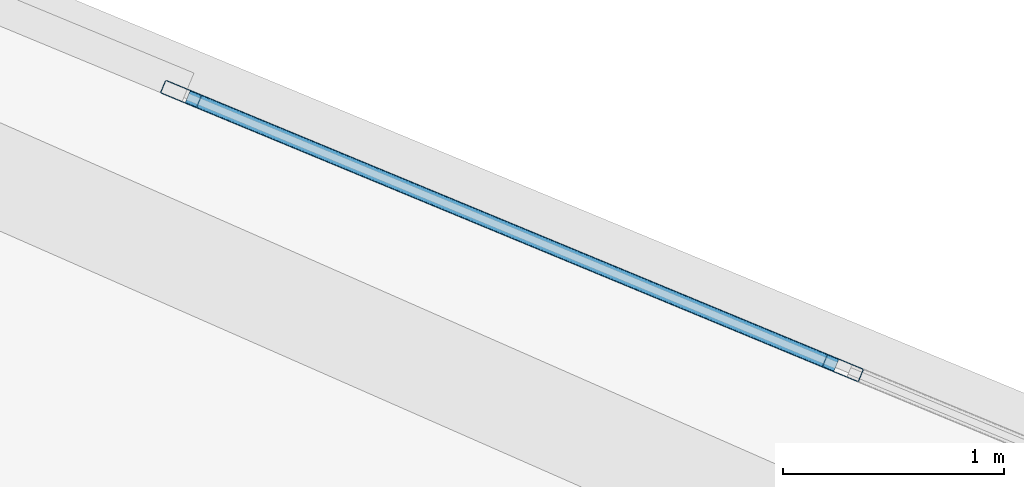
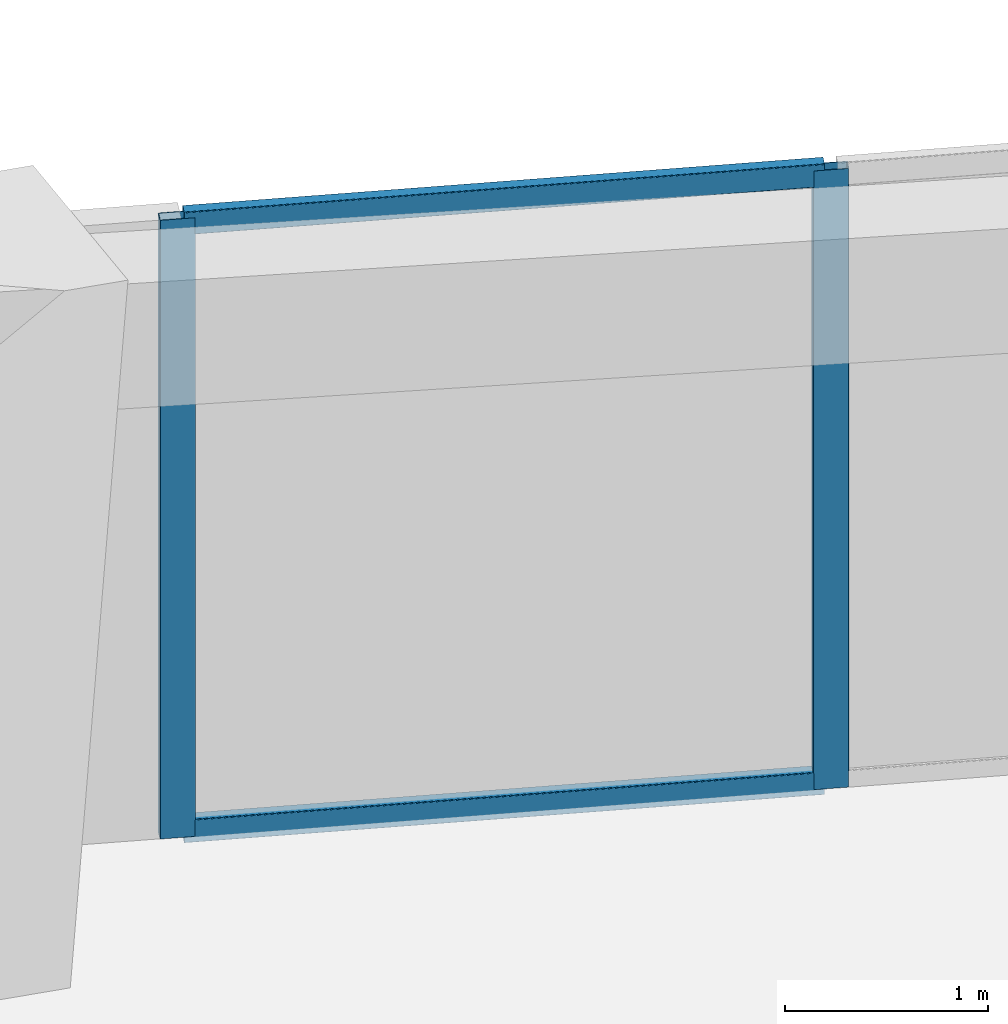
# One storey, part 15 of 23: 4 members, 1 element without a shape of its own.
"""IFC4 building model written with IfcOpenShell, lengths in metres."""

import ifcopenshell
import ifcopenshell.guid

model = None  # the IFC model being written
_history = None  # IfcOwnerHistory: only IFC2X3 demands one
_inside = {}  # id of a spatial element -> (the spatial element, [elements in it])
_under = {}  # id of a project, library or spatial element -> (it, [spatial elements below it])
_declared = {}  # id of a project -> (the project, [libraries it declares])
_typed = {}  # id of a type object -> (the type object, [elements of that type])
_made_of = {}  # id of a material, layer set ... -> (it, [elements and type objects made of it])


def new_model(schema):
    """Start an empty IFC model of exactly this schema.

    Asked for "IFC4X3", IfcOpenShell would pick the latest addendum, in which some entities
    have other attributes; the version numbers below select the first issue.
    IFC2X3 requires an IfcOwnerHistory on every rooted entity: one is made here for all.
    """
    global model, _history
    if schema == "IFC4X3":
        model = ifcopenshell.file(schema_version=(4, 3, 0, 0))
    else:
        model = ifcopenshell.file(schema=schema)
    _inside.clear()
    _under.clear()
    _declared.clear()
    _typed.clear()
    _made_of.clear()
    _history = None
    if model.schema == "IFC2X3":
        org = make("IfcOrganization", Name="unknown")
        user = make(
            "IfcPersonAndOrganization",
            ThePerson=make("IfcPerson", FamilyName="unknown"),
            TheOrganization=org,
        )
        app = make(
            "IfcApplication",
            ApplicationDeveloper=org,
            Version="unknown",
            ApplicationFullName="unknown",
            ApplicationIdentifier="unknown",
        )
        _history = make(
            "IfcOwnerHistory",
            OwningUser=user,
            OwningApplication=app,
            ChangeAction="ADDED",
            CreationDate=0,
        )
    return model


def make(cls, **values):
    """One entity of the class cls with the attributes given. An attribute that is None is left unset."""
    return model.create_entity(
        cls, **{name: value for name, value in values.items() if value is not None}
    )


def rooted(cls, **values):
    """An entity with a GlobalId (a new one), such as an element, a storey or a relation."""
    return make(cls, GlobalId=ifcopenshell.guid.new(), OwnerHistory=_history, **values)


def si_unit(unit_type, name, prefix=None):
    """IfcSIUnit, for example si_unit("LENGTHUNIT", "METRE", prefix="MILLI")."""
    return make("IfcSIUnit", UnitType=unit_type, Prefix=prefix, Name=name)


def assignment(units):
    """IfcUnitAssignment: the units of a project."""
    return None if units is None else make("IfcUnitAssignment", Units=units)


def point(xyz):
    """IfcCartesianPoint."""
    return None if xyz is None else make("IfcCartesianPoint", Coordinates=xyz)


def direction(xyz):
    """IfcDirection."""
    return None if xyz is None else make("IfcDirection", DirectionRatios=xyz)


def frame(location, z_axis=None, x_axis=None):
    """IfcAxis2Placement3D, a coordinate frame: its origin and axes. An axis left out is left unset."""
    return make(
        "IfcAxis2Placement3D",
        Location=point(location),
        Axis=direction(z_axis),
        RefDirection=direction(x_axis),
    )


def frame_2d(location, x_axis=None):
    """IfcAxis2Placement2D, a coordinate frame in the plane: its origin and x axis."""
    return make(
        "IfcAxis2Placement2D", Location=point(location), RefDirection=direction(x_axis)
    )


def origin():
    """The frame at (0, 0, 0) with its axes left unset."""
    return frame((0.0, 0.0, 0.0))


def origin_2d():
    """The frame at (0, 0) in the plane with its x axis left unset."""
    return frame_2d((0.0, 0.0))


def place(relative_to, where):
    """IfcLocalPlacement: puts the frame where relative to a parent placement (None: the world)."""
    return make(
        "IfcLocalPlacement", PlacementRelTo=relative_to, RelativePlacement=where
    )


def context(
    kind, dimensions, precision=None, world=None, true_north=None, identifier=None
):
    """IfcGeometricRepresentationContext, for example the 3D "Model" context."""
    return make(
        "IfcGeometricRepresentationContext",
        ContextIdentifier=identifier,
        ContextType=kind,
        CoordinateSpaceDimension=dimensions,
        Precision=precision,
        WorldCoordinateSystem=world,
        TrueNorth=true_north,
    )


def subcontext(parent, identifier, kind, view, scale=None):
    """IfcGeometricRepresentationSubContext, for example "Body" below "Model"."""
    return make(
        "IfcGeometricRepresentationSubContext",
        ContextIdentifier=identifier,
        ContextType=kind,
        ParentContext=parent,
        TargetScale=scale,
        TargetView=view,
    )


def project(units=None, contexts=None):
    """IfcProject with its units and contexts."""
    return rooted(
        "IfcProject",
        Name="project",
        RepresentationContexts=contexts,
        UnitsInContext=assignment(units),
    )


def spatial(cls, under=None, at=None, **own):
    """A site, building, storey or space (cls), placed at a placement, below another one or the project."""
    s = rooted(cls, ObjectPlacement=at, **own)
    if under is not None:
        _under.setdefault(under.id(), (under, []))[1].append(s)
    return s


def profile(cls, at=None, kind="AREA", **sizes):
    """A parametric profile (cls). Its sizes go by their IFC names, for example OverallWidth=200.0."""
    return make(cls, ProfileType=kind, Position=at, **sizes)


def hollow_rectangle(**sizes):
    """IfcRectangleHollowProfileDef."""
    return profile("IfcRectangleHollowProfileDef", **sizes)


def extrude(swept, where, along, depth):
    """IfcExtrudedAreaSolid: the profile swept, set in the frame where, extruded along a direction by depth."""
    return make(
        "IfcExtrudedAreaSolid",
        SweptArea=swept,
        Position=where,
        ExtrudedDirection=direction(along),
        Depth=depth,
    )


def shape(context_of_items, identifier, shape_type, items):
    """IfcShapeRepresentation: the items that make up one representation, for example the "Body"."""
    return make(
        "IfcShapeRepresentation",
        ContextOfItems=context_of_items,
        RepresentationIdentifier=identifier,
        RepresentationType=shape_type,
        Items=items,
    )


def source(mapping_origin, context_of_items, identifier, shape_type, items):
    """IfcRepresentationMap: a shape defined once, which mapped items show again and again."""
    return make(
        "IfcRepresentationMap",
        MappingOrigin=mapping_origin,
        MappedRepresentation=shape(context_of_items, identifier, shape_type, items),
    )


def transform(
    local_origin,
    x_axis=None,
    y_axis=None,
    z_axis=None,
    scale=None,
    scale2=None,
    scale3=None,
    uniform=True,
):
    """IfcCartesianTransformationOperator3D, or its non-uniform kind. x_axis, y_axis, z_axis: its Axis1, 2, 3."""
    if uniform:
        return make(
            "IfcCartesianTransformationOperator3D",
            Axis1=direction(x_axis),
            Axis2=direction(y_axis),
            LocalOrigin=point(local_origin),
            Scale=scale,
            Axis3=direction(z_axis),
        )
    return make(
        "IfcCartesianTransformationOperator3DnonUniform",
        Axis1=direction(x_axis),
        Axis2=direction(y_axis),
        LocalOrigin=point(local_origin),
        Scale=scale,
        Axis3=direction(z_axis),
        Scale2=scale2,
        Scale3=scale3,
    )


def mapped(mapping_source, mapping_target):
    """IfcMappedItem: shows the shape of a source again, moved by a transform."""
    return make(
        "IfcMappedItem", MappingSource=mapping_source, MappingTarget=mapping_target
    )


def material(Name=None, Category=None):
    """IfcMaterial."""
    return make("IfcMaterial", Name=Name, Category=Category)


def material_profile(
    of_material, cross_section, Name=None, Category=None, Priority=None
):
    """IfcMaterialProfile: a cross section and its material."""
    return make(
        "IfcMaterialProfile",
        Name=Name,
        Material=of_material,
        Profile=cross_section,
        Priority=Priority,
        Category=Category,
    )


def profile_set(profiles, Name=None, composite=None):
    """IfcMaterialProfileSet."""
    return make(
        "IfcMaterialProfileSet",
        Name=Name,
        MaterialProfiles=profiles,
        CompositeProfile=composite,
    )


def made_of(thing, what):
    """Note that an element or type object is made of a material, layer set ...; save() writes the relation."""
    if what is not None:
        _made_of.setdefault(what.id(), (what, []))[1].append(thing)
    return thing


def type_object(cls, material=None, **own):
    """A type object (cls), such as IfcWallType, which elements share."""
    return made_of(rooted(cls, **own), material)


def element(
    cls,
    number,
    at=None,
    inside=None,
    cuts=None,
    type_object=None,
    material=None,
    context=None,
    identifier="Body",
    shape_type=None,
    held_by="IfcProductDefinitionShape",
    body=None,
    shapes=None,
    **own,
):
    """One element of the class cls, such as IfcWall. Its Tag is "e" and its number.

    at: its placement. inside: the storey or other place that contains it. cuts: it is an
    opening in that element (IfcRelVoidsElement). A single representation is given by context,
    identifier, shape_type and body (its items); several are given by shapes. held_by: the class
    of the entity that holds the representations. save() writes the other relations.
    """
    e = rooted(cls, Tag="e%d" % number, ObjectPlacement=at, **own)
    if body is not None:
        shapes = [shape(context, identifier, shape_type, body)]
    if shapes is not None:
        e.Representation = make(held_by, Representations=shapes)
    if inside is not None:
        _inside.setdefault(inside.id(), (inside, []))[1].append(e)
    if cuts is not None:
        rooted(
            "IfcRelVoidsElement", RelatingBuildingElement=cuts, RelatedOpeningElement=e
        )
    if type_object is not None:
        _typed.setdefault(type_object.id(), (type_object, []))[1].append(e)
    return made_of(e, material)


def aggregate(whole, parts):
    """IfcRelAggregates: a whole, such as a stair, and the parts it consists of."""
    return rooted("IfcRelAggregates", RelatingObject=whole, RelatedObjects=parts)


def save(model, path):
    """Write the relations noted so far, then the file.

    IfcRelAggregates (storeys below a building ...), IfcRelContainedInSpatialStructure (elements
    in a storey), IfcRelDefinesByType, IfcRelAssociatesMaterial and IfcRelDeclares: one each for
    every whole, place, type object, material and project.
    """
    for whole, parts in _under.values():
        aggregate(whole, parts)
    for where, things in _inside.values():
        rooted(
            "IfcRelContainedInSpatialStructure",
            RelatedElements=things,
            RelatingStructure=where,
        )
    for kind, things in _typed.values():
        rooted("IfcRelDefinesByType", RelatedObjects=things, RelatingType=kind)
    for what, things in _made_of.values():
        rooted("IfcRelAssociatesMaterial", RelatedObjects=things, RelatingMaterial=what)
    for by, libraries in _declared.values():
        rooted("IfcRelDeclares", RelatingContext=by, RelatedDefinitions=libraries)
    model.write(path)


model = new_model("IFC4")

# Units and contexts
model_context = context("Model", 3, precision=1e-05, world=origin(), true_north=direction((0.0, 1.0)))
body_context = subcontext(model_context, "Body", "Model", "MODEL_VIEW")
ifc_project = project(units=[si_unit("LENGTHUNIT", "METRE"), si_unit("AREAUNIT", "SQUARE_METRE"), si_unit("VOLUMEUNIT", "CUBIC_METRE"), si_unit("PLANEANGLEUNIT", "RADIAN"), si_unit("MASSUNIT", "GRAM", prefix="KILO")], contexts=[model_context])

# Site, building, storey
site_placement = place(None, origin())
site = spatial("IfcSite", under=ifc_project, at=site_placement, CompositionType="ELEMENT")
building_placement = place(site_placement, origin())
building = spatial("IfcBuilding", under=site, at=building_placement, Name="Torre Montelarca", CompositionType="ELEMENT")
storey_placement = place(building_placement, frame((0.0, 0.0, 145.60009765625)))
storey = spatial("IfcBuildingStorey", under=building, at=storey_placement, Name="L32", CompositionType="ELEMENT", Elevation=145.60009765625)

# Curtain wall, members
ifc_material_1 = material(Name="Insulated low-E laminated glass", Category="glass")
curtain_wall_type = type_object("IfcCurtainWallType", Name="CW-SYS-Z2", PredefinedType="USERDEFINED", material=ifc_material_1)
curtain_wall_placement = place(storey_placement, origin())
curtain_wall = element("IfcCurtainWall", 1, at=curtain_wall_placement, inside=storey, type_object=curtain_wall_type, Name="L32 Curtain Wall Run CW-T3-L32-E08-B4", ObjectType="UNITISED GLAZING", PredefinedType="USERDEFINED")
ifc_material_2 = material(Name="Anodised aluminium AA 6063-T6", Category="aluminium")
ifc_material_profile_1 = material_profile(ifc_material_2, hollow_rectangle(XDim=0.06494140625, YDim=0.179931640625, WallThickness=0.00390625, InnerFilletRadius=0.00390625, OuterFilletRadius=0.008056640625, at=origin_2d()), Name="ALU65X180X4", Category="aluminium")
ifc_profile_set_1 = profile_set([ifc_material_profile_1], Name="Anodised aluminium AA 6063-T6")
member_type_1 = type_object("IfcMemberType", Name="CWM-ALU180", PredefinedType="MULLION", material=ifc_profile_set_1)
shared_shape_1 = source(origin(), body_context, "Body", "SweptSolid", [
    extrude(hollow_rectangle(XDim=0.06494140625, YDim=0.179931640625, WallThickness=0.00390625, InnerFilletRadius=0.00390625, OuterFilletRadius=0.008056640625, at=origin_2d()), origin(), (0.0, 0.0, 1.0), 3.719970703125),
])
member_1_placement = place(storey_placement, frame((20.412841796875, 49.844482421875, 0.0), z_axis=(0.0, 0.0, 1.0), x_axis=(-0.382683607577, -0.923879459936, 0.0)))
member_1 = element("IfcMember", 2, at=member_1_placement, type_object=member_type_1, Name="CW mullion 2", PredefinedType="MULLION", context=body_context, shape_type="MappedRepresentation", body=[
    mapped(shared_shape_1, transform((0.0, 0.0, 0.0), scale=1.0)),
])
member_2_placement = place(storey_placement, frame((17.4140625, 51.086669921875, 0.0), z_axis=(0.0, 0.0, 1.0), x_axis=(-0.382683607577, -0.923879459936, 0.0)))
member_2 = element("IfcMember", 3, at=member_2_placement, type_object=member_type_1, Name="CW mullion 3", PredefinedType="MULLION", context=body_context, shape_type="MappedRepresentation", body=[
    mapped(shared_shape_1, transform((0.0, 0.0, 0.0), scale=1.0)),
])
ifc_material_profile_2 = material_profile(ifc_material_2, hollow_rectangle(XDim=0.06494140625, YDim=0.139892578125, WallThickness=0.00390625, InnerFilletRadius=0.00390625, OuterFilletRadius=0.008056640625, at=origin_2d()), Name="ALU65X140X4", Category="aluminium")
ifc_profile_set_2 = profile_set([ifc_material_profile_2], Name="Anodised aluminium AA 6063-T6")
member_type_2 = type_object("IfcMemberType", Name="CWT-ALU140", PredefinedType="USERDEFINED", material=ifc_profile_set_2)
shared_shape_2 = source(origin(), body_context, "Body", "SweptSolid", [
    extrude(hollow_rectangle(XDim=0.06494140625, YDim=0.139892578125, WallThickness=0.00390625, InnerFilletRadius=0.00390625, OuterFilletRadius=0.008056640625, at=origin_2d()), origin(), (0.0, 0.0, 1.0), 3.180908203125),
])
member_3_placement = place(storey_placement, frame((20.3828125, 49.85693359375, 0.032470703125), z_axis=(-0.923876510863, 0.382690727188, 0.0), x_axis=(-0.382690727188, -0.923876510863, 0.0)))
member_3 = element("IfcMember", 4, at=member_3_placement, type_object=member_type_2, Name="CW transom 2.1", ObjectType="TRANSOM", PredefinedType="USERDEFINED", context=body_context, shape_type="MappedRepresentation", body=[
    mapped(shared_shape_2, transform((0.0, 0.0, 0.0), scale=1.0)),
])
member_4_placement = place(storey_placement, frame((20.3828125, 49.85693359375, 3.6875), z_axis=(-0.923876510863, 0.382690727188, 0.0), x_axis=(-0.382690727188, -0.923876510863, 0.0)))
member_4 = element("IfcMember", 5, at=member_4_placement, type_object=member_type_2, Name="CW transom 2.2", ObjectType="TRANSOM", PredefinedType="USERDEFINED", context=body_context, shape_type="MappedRepresentation", body=[
    mapped(shared_shape_2, transform((0.0, 0.0, 0.0), scale=1.0)),
])
aggregate(curtain_wall, [member_1, member_2, member_3, member_4])

save(model, "model.ifc")
